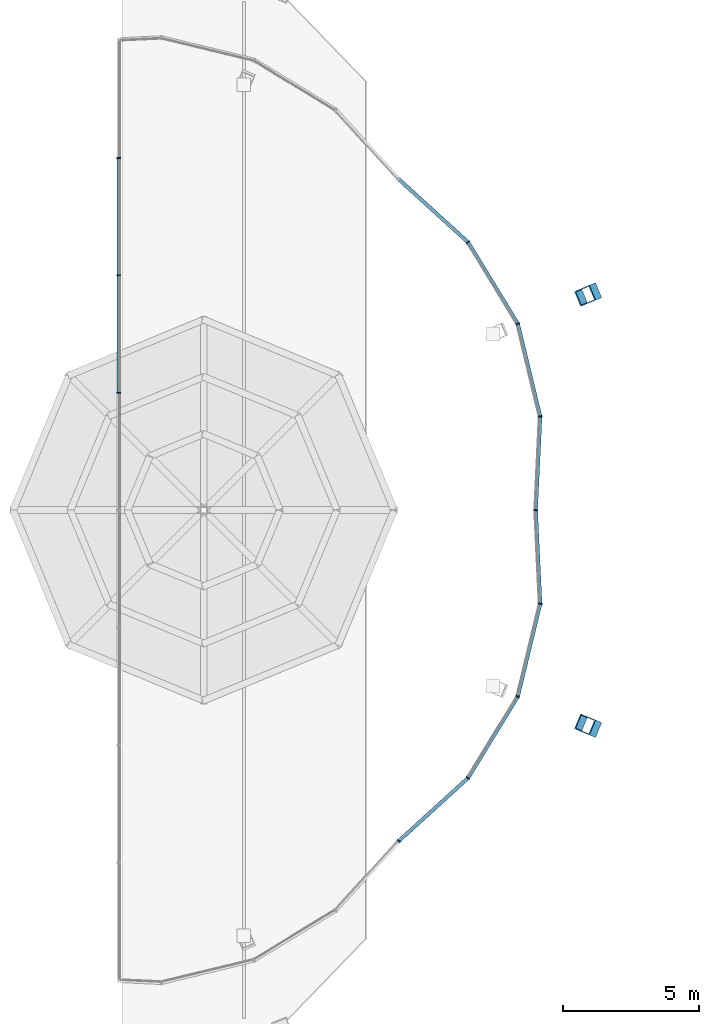
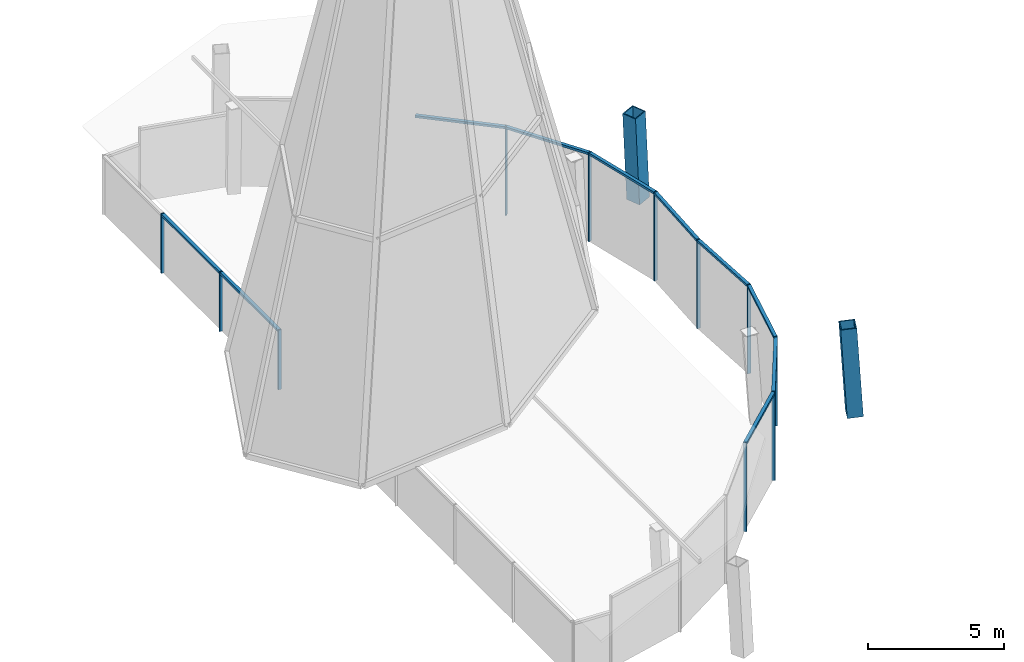
# One storey, part 5 of 16: 23 members, 4 elements without a shape of their own.
"""IFC4 building model written with IfcOpenShell, lengths in metres."""

from ifc_helpers import new_model, si_unit, direction, frame, origin, origin_2d, place, context, subcontext, project, spatial, rectangle, hollow_rectangle, extrude, material, material_profile, profile_set, type_object, element, aggregate, save


model = new_model("IFC4")

# Units and contexts
model_context = context("Model", 3, precision=1e-05, world=origin(), true_north=direction((0.0, 1.0)))
body_context = subcontext(model_context, "Body", "Model", "MODEL_VIEW")
ifc_project = project(units=[si_unit("LENGTHUNIT", "METRE"), si_unit("AREAUNIT", "SQUARE_METRE"), si_unit("VOLUMEUNIT", "CUBIC_METRE"), si_unit("PLANEANGLEUNIT", "RADIAN"), si_unit("MASSUNIT", "GRAM", prefix="KILO")], contexts=[model_context])

# Site, building, storey
site_placement = place(None, origin())
site = spatial("IfcSite", under=ifc_project, at=site_placement, CompositionType="ELEMENT")
building_placement = place(site_placement, origin())
building = spatial("IfcBuilding", under=site, at=building_placement, Name="Ogive Gate Towers", CompositionType="ELEMENT")
storey_placement = place(building_placement, frame((0.0, 0.0, 310.0)))
storey = spatial("IfcBuildingStorey", under=building, at=storey_placement, Name="L73", CompositionType="ELEMENT", Elevation=310.0)

# Curtain wall, members
ifc_material_1 = material(Name="Pale metal aluminium", Category="aluminium")
curtain_wall_type = type_object("IfcCurtainWallType", Name="Crown lean wall", PredefinedType="NOTDEFINED", material=ifc_material_1)
curtain_wall_1_placement = place(storey_placement, origin())
curtain_wall_1 = element("IfcCurtainWall", 1, at=curtain_wall_1_placement, inside=storey, type_object=curtain_wall_type, Name="CW5 T1 ECW01", PredefinedType="NOTDEFINED")
ifc_material_profile_1 = material_profile(ifc_material_1, rectangle(XDim=0.139892578125, YDim=0.050048828125, at=origin_2d()), Name="50 x 140 aluminium box")
ifc_profile_set_1 = profile_set([ifc_material_profile_1], Name="Pale metal aluminium")
member_type_1 = type_object("IfcMemberType", Name="Crown lean wall mullion 50 x 140", PredefinedType="MULLION", material=ifc_profile_set_1)
member_1_placement = place(storey_placement, frame((-21.285888671875, 9.84765625, -0.300048828125), z_axis=(0.0, 0.0, 1.0), x_axis=(-0.770935828882, -0.63691282586, 0.0)))
member_1 = element("IfcMember", 2, at=member_1_placement, type_object=member_type_1, Name="CW5 mullion", PredefinedType="MULLION", context=body_context, shape_type="SweptSolid", body=[
    extrude(rectangle(XDim=0.139892578125, YDim=0.050048828125, at=origin_2d()), origin(), (0.0, 0.0, 1.0), 4.0),
])
member_2_placement = place(storey_placement, frame((-19.456787109375, 6.852294921875, -0.300048828125), z_axis=(0.0, 0.0, 1.0), x_axis=(-0.923879532511, -0.382683432365, 0.0)))
member_2 = element("IfcMember", 3, at=member_2_placement, type_object=member_type_1, Name="CW5 mullion", PredefinedType="MULLION", context=body_context, shape_type="SweptSolid", body=[
    extrude(rectangle(XDim=0.139892578125, YDim=0.050048828125, at=origin_2d()), origin(), (0.0, 0.0, 1.0), 4.0),
])
member_3_placement = place(storey_placement, frame((-18.632080078125, 3.441162109375, -0.300048828125), z_axis=(0.0, 0.0, 1.0), x_axis=(-0.995499330653, -0.094768574272, 0.0)))
member_3 = element("IfcMember", 4, at=member_3_placement, type_object=member_type_1, Name="CW5 mullion", PredefinedType="MULLION", context=body_context, shape_type="SweptSolid", body=[
    extrude(rectangle(XDim=0.139892578125, YDim=0.050048828125, at=origin_2d()), origin(), (0.0, 0.0, 1.0), 4.0),
])
member_4_placement = place(storey_placement, frame((-18.794921875, -0.00146484375, -0.300048828125), z_axis=(0.0, 0.0, 1.0), x_axis=(-0.998880812764, 0.047298222929, 0.0)))
member_4 = element("IfcMember", 5, at=member_4_placement, type_object=member_type_1, Name="CW5 mullion", PredefinedType="MULLION", context=body_context, shape_type="SweptSolid", body=[
    extrude(rectangle(XDim=0.139892578125, YDim=0.050048828125, at=origin_2d()), origin(), (0.0, 0.0, 1.0), 4.0),
])

curtain_wall_2_placement = place(storey_placement, origin())
curtain_wall_2 = element("IfcCurtainWall", 6, at=curtain_wall_2_placement, inside=storey, type_object=curtain_wall_type, Name="CW5 T1 ECW02b", PredefinedType="NOTDEFINED")
member_5_placement = place(storey_placement, frame((-34.1181640625, 4.31640625, -0.300048828125), z_axis=(0.0, 0.0, 1.0), x_axis=(1.0, 0.0, 0.0)))
member_5 = element("IfcMember", 7, at=member_5_placement, type_object=member_type_1, Name="CW5 mullion", PredefinedType="MULLION", context=body_context, shape_type="SweptSolid", body=[
    extrude(rectangle(XDim=0.139892578125, YDim=0.050048828125, at=origin_2d()), origin(), (0.0, 0.0, 1.0), 2.679931640625),
])
member_6_placement = place(storey_placement, frame((-34.1181640625, 8.6328125, -0.300048828125), z_axis=(0.0, 0.0, 1.0), x_axis=(1.0, 0.0, 0.0)))
member_6 = element("IfcMember", 8, at=member_6_placement, type_object=member_type_1, Name="CW5 mullion", PredefinedType="MULLION", context=body_context, shape_type="SweptSolid", body=[
    extrude(rectangle(XDim=0.139892578125, YDim=0.050048828125, at=origin_2d()), origin(), (0.0, 0.0, 1.0), 2.679931640625),
])
member_7_placement = place(storey_placement, frame((-34.1181640625, 12.94921875, -0.300048828125), z_axis=(0.0, 0.0, 1.0), x_axis=(1.0, 0.0, 0.0)))
member_7 = element("IfcMember", 9, at=member_7_placement, type_object=member_type_1, Name="CW5 mullion", PredefinedType="MULLION", context=body_context, shape_type="SweptSolid", body=[
    extrude(rectangle(XDim=0.139892578125, YDim=0.050048828125, at=origin_2d()), origin(), (0.0, 0.0, 1.0), 2.679931640625),
])

# Curtain wall, member
curtain_wall_3_placement = place(storey_placement, origin())
curtain_wall_3 = element("IfcCurtainWall", 10, at=curtain_wall_3_placement, inside=storey, type_object=curtain_wall_type, Name="CW5 T1 ECW03", PredefinedType="NOTDEFINED")
member_8_placement = place(storey_placement, frame((-23.833251953125, -12.164794921875, -0.300048828125), z_axis=(0.0, 0.0, 1.0), x_axis=(-0.739772034167, 0.672857590776, 0.0)))
member_8 = element("IfcMember", 11, at=member_8_placement, type_object=member_type_1, Name="CW5 mullion", PredefinedType="MULLION", context=body_context, shape_type="SweptSolid", body=[
    extrude(rectangle(XDim=0.139892578125, YDim=0.050048828125, at=origin_2d()), origin(), (0.0, 0.0, 1.0), 4.0),
])
aggregate(curtain_wall_3, [member_8])

# Curtain wall, members
curtain_wall_4_placement = place(storey_placement, origin())
curtain_wall_4 = element("IfcCurtainWall", 12, at=curtain_wall_4_placement, inside=storey, type_object=curtain_wall_type, Name="CW5 T1 ECW04", PredefinedType="NOTDEFINED")
member_9_placement = place(storey_placement, frame((-18.632080078125, -3.441162109375, -0.300048828125), z_axis=(0.0, 0.0, 1.0), x_axis=(-0.995499330653, 0.094768574272, 0.0)))
member_9 = element("IfcMember", 13, at=member_9_placement, type_object=member_type_1, Name="CW5 mullion", PredefinedType="MULLION", context=body_context, shape_type="SweptSolid", body=[
    extrude(rectangle(XDim=0.139892578125, YDim=0.050048828125, at=origin_2d()), origin(), (0.0, 0.0, 1.0), 4.0),
])
member_10_placement = place(storey_placement, frame((-19.456787109375, -6.852294921875, -0.300048828125), z_axis=(0.0, 0.0, 1.0), x_axis=(-0.923879532511, 0.382683432365, 0.0)))
member_10 = element("IfcMember", 14, at=member_10_placement, type_object=member_type_1, Name="CW5 mullion", PredefinedType="MULLION", context=body_context, shape_type="SweptSolid", body=[
    extrude(rectangle(XDim=0.139892578125, YDim=0.050048828125, at=origin_2d()), origin(), (0.0, 0.0, 1.0), 4.0),
])
member_11_placement = place(storey_placement, frame((-21.285888671875, -9.84765625, -0.300048828125), z_axis=(0.0, 0.0, 1.0), x_axis=(-0.770935828882, 0.63691282586, 0.0)))
member_11 = element("IfcMember", 15, at=member_11_placement, type_object=member_type_1, Name="CW5 mullion", PredefinedType="MULLION", context=body_context, shape_type="SweptSolid", body=[
    extrude(rectangle(XDim=0.139892578125, YDim=0.050048828125, at=origin_2d()), origin(), (0.0, 0.0, 1.0), 4.0),
])

# Member
ifc_material_profile_2 = material_profile(ifc_material_1, rectangle(XDim=0.139892578125, YDim=0.10009765625, at=origin_2d()), Name="100 x 140 aluminium box")
ifc_profile_set_2 = profile_set([ifc_material_profile_2], Name="Pale metal aluminium")
member_type_2 = type_object("IfcMemberType", Name="Crown lean wall transom 100 x 140", PredefinedType="USERDEFINED", material=ifc_profile_set_2)
member_12_placement = place(storey_placement, frame((-23.816650390625, 12.14990234375, 3.64990234375), z_axis=(0.739747895653, -0.672884128864, 0.0), x_axis=(0.672884128864, 0.739747895653, 0.0)))
member_12 = element("IfcMember", 16, at=member_12_placement, type_object=member_type_2, Name="CW5 transom", ObjectType="TRANSOM", PredefinedType="USERDEFINED", context=body_context, shape_type="SweptSolid", body=[
    extrude(rectangle(XDim=0.139892578125, YDim=0.10009765625, at=origin_2d()), origin(), (0.0, 0.0, 1.0), 3.39208984375),
])

member_13_placement = place(storey_placement, frame((-21.2705078125, 9.82275390625, 3.64990234375), z_axis=(0.521232488691, -0.853414724934, 0.0), x_axis=(0.853414724934, 0.521232488691, 0.0)))
member_13 = element("IfcMember", 17, at=member_13_placement, type_object=member_type_2, Name="CW5 transom", ObjectType="TRANSOM", PredefinedType="USERDEFINED", context=body_context, shape_type="SweptSolid", body=[
    extrude(rectangle(XDim=0.139892578125, YDim=0.10009765625, at=origin_2d()), origin(), (0.0, 0.0, 1.0), 3.45068359375),
])

member_14_placement = place(storey_placement, frame((-19.449462890625, 6.823486328125, 3.64990234375), z_axis=(0.234903347889, -0.972018732922, 0.0), x_axis=(0.972018732922, 0.234903347889, 0.0)))
member_14 = element("IfcMember", 18, at=member_14_placement, type_object=member_type_2, Name="CW5 transom", ObjectType="TRANSOM", PredefinedType="USERDEFINED", context=body_context, shape_type="SweptSolid", body=[
    extrude(rectangle(XDim=0.139892578125, YDim=0.10009765625, at=origin_2d()), origin(), (0.0, 0.0, 1.0), 3.450439453125),
])

member_15_placement = place(storey_placement, frame((-18.63330078125, 3.411865234375, 3.64990234375), z_axis=(-0.04728815443, -0.998881289469, 0.0), x_axis=(0.998881289469, -0.04728815443, 0.0)))
member_15 = element("IfcMember", 19, at=member_15_placement, type_object=member_type_2, Name="CW5 transom", ObjectType="TRANSOM", PredefinedType="USERDEFINED", context=body_context, shape_type="SweptSolid", body=[
    extrude(rectangle(XDim=0.139892578125, YDim=0.10009765625, at=origin_2d()), origin(), (0.0, 0.0, 1.0), 3.39208984375),
])

aggregate(curtain_wall_1, [member_1, member_12, member_2, member_13, member_3, member_14, member_4, member_15])

member_16_placement = place(storey_placement, frame((-34.1181640625, 4.34130859375, 2.330078125), z_axis=(0.0, 1.0, 0.0), x_axis=(-1.0, 0.0, 0.0)))
member_16 = element("IfcMember", 20, at=member_16_placement, type_object=member_type_2, Name="CW5 transom", ObjectType="TRANSOM", PredefinedType="USERDEFINED", context=body_context, shape_type="SweptSolid", body=[
    extrude(rectangle(XDim=0.139892578125, YDim=0.10009765625, at=origin_2d()), origin(), (0.0, 0.0, 1.0), 4.2666015625),
])

member_17_placement = place(storey_placement, frame((-34.1181640625, 8.65771484375, 2.330078125), z_axis=(0.0, 1.0, 0.0), x_axis=(-1.0, 0.0, 0.0)))
member_17 = element("IfcMember", 21, at=member_17_placement, type_object=member_type_2, Name="CW5 transom", ObjectType="TRANSOM", PredefinedType="USERDEFINED", context=body_context, shape_type="SweptSolid", body=[
    extrude(rectangle(XDim=0.139892578125, YDim=0.10009765625, at=origin_2d()), origin(), (0.0, 0.0, 1.0), 4.2666015625),
])

aggregate(curtain_wall_2, [member_5, member_6, member_16, member_7, member_17])

member_18_placement = place(storey_placement, frame((-18.793701171875, -0.023681640625, 3.64990234375), z_axis=(0.04728815443, -0.998881289469, 0.0), x_axis=(0.998881289469, 0.04728815443, 0.0)))
member_18 = element("IfcMember", 22, at=member_18_placement, type_object=member_type_2, Name="CW5 transom", ObjectType="TRANSOM", PredefinedType="USERDEFINED", context=body_context, shape_type="SweptSolid", body=[
    extrude(rectangle(XDim=0.139892578125, YDim=0.10009765625, at=origin_2d()), origin(), (0.0, 0.0, 1.0), 3.39208984375),
])

member_19_placement = place(storey_placement, frame((-18.638916015625, -3.469482421875, 3.64990234375), z_axis=(-0.234903347889, -0.972018732922, 0.0), x_axis=(0.972018732922, -0.234903347889, 0.0)))
member_19 = element("IfcMember", 23, at=member_19_placement, type_object=member_type_2, Name="CW5 transom", ObjectType="TRANSOM", PredefinedType="USERDEFINED", context=body_context, shape_type="SweptSolid", body=[
    extrude(rectangle(XDim=0.139892578125, YDim=0.10009765625, at=origin_2d()), origin(), (0.0, 0.0, 1.0), 3.450439453125),
])

member_20_placement = place(storey_placement, frame((-19.471923828125, -6.8779296875, 3.64990234375), z_axis=(-0.521232488691, -0.853414724934, 0.0), x_axis=(0.853414724934, -0.521232488691, 0.0)))
member_20 = element("IfcMember", 24, at=member_20_placement, type_object=member_type_2, Name="CW5 transom", ObjectType="TRANSOM", PredefinedType="USERDEFINED", context=body_context, shape_type="SweptSolid", body=[
    extrude(rectangle(XDim=0.139892578125, YDim=0.10009765625, at=origin_2d()), origin(), (0.0, 0.0, 1.0), 3.45068359375),
])

member_21_placement = place(storey_placement, frame((-21.307373046875, -9.867431640625, 3.64990234375), z_axis=(-0.739747895653, -0.672884128864, 0.0), x_axis=(0.672884128864, -0.739747895653, 0.0)))
member_21 = element("IfcMember", 25, at=member_21_placement, type_object=member_type_2, Name="CW5 transom", ObjectType="TRANSOM", PredefinedType="USERDEFINED", context=body_context, shape_type="SweptSolid", body=[
    extrude(rectangle(XDim=0.139892578125, YDim=0.10009765625, at=origin_2d()), origin(), (0.0, 0.0, 1.0), 3.39208984375),
])

aggregate(curtain_wall_4, [member_9, member_18, member_10, member_19, member_11, member_20, member_21])

# Members
ifc_material_2 = material(Name="Steel SM460", Category="steel")
ifc_material_profile_3 = material_profile(ifc_material_2, hollow_rectangle(XDim=0.60009765625, YDim=0.60009765625, WallThickness=0.0400390625, at=origin_2d()), Name="BX 600x600x40")
ifc_profile_set_3 = profile_set([ifc_material_profile_3], Name="Steel SM460")
member_type_3 = type_object("IfcMemberType", Name="Crown rib BX 600x600x40", PredefinedType="MEMBER", material=ifc_profile_set_3)
for number, where, z_axis, x_axis, name in (
    (26, (-16.7587890625, 7.969970703125, 0.0), (-0.056413057581, -0.02339375174, 0.998133407573), (0.383056544411, -0.923724896159, 0.0), "T1/L73/STR001"),
    (27, (-16.7587890625, -7.969970703125, 0.0), (-0.056413057581, 0.02339375174, 0.998133407573), (-0.383056544411, -0.923724896159, 0.0), "T1/L73/STR004"),
):
    element("IfcMember", number, at=place(storey_placement, frame(where, z_axis=z_axis, x_axis=x_axis)), inside=storey, type_object=member_type_3, Name=name, PredefinedType="MEMBER", context=body_context, shape_type="SweptSolid", body=[
        extrude(hollow_rectangle(XDim=0.60009765625, YDim=0.60009765625, WallThickness=0.0400390625, at=origin_2d()), origin(), (0.0, 0.0, 1.0), 4.007568359375),
    ])

save(model, "model.ifc")
